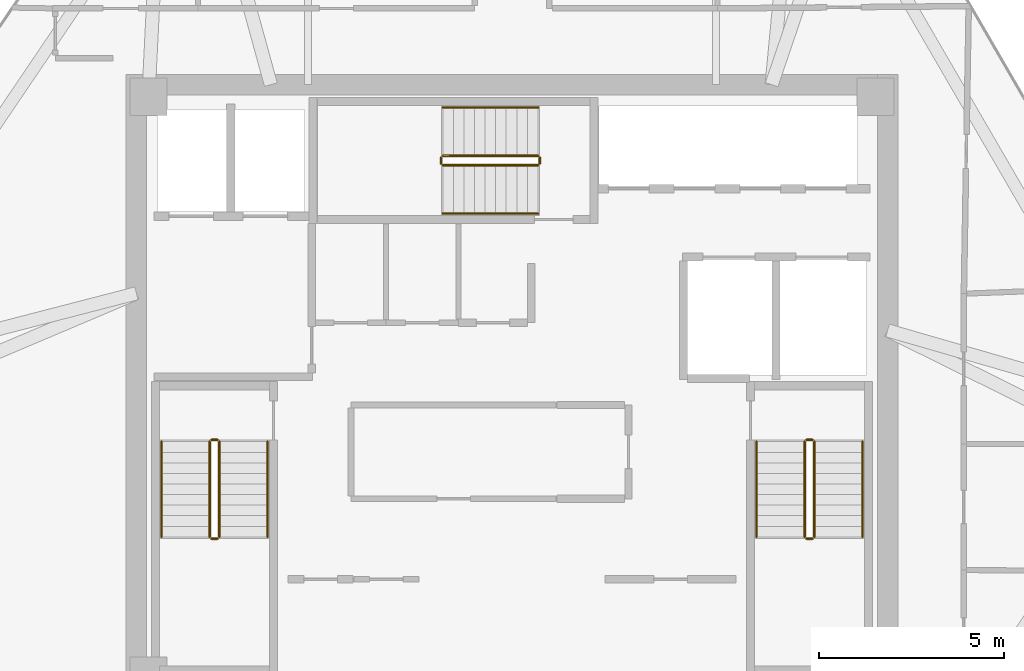
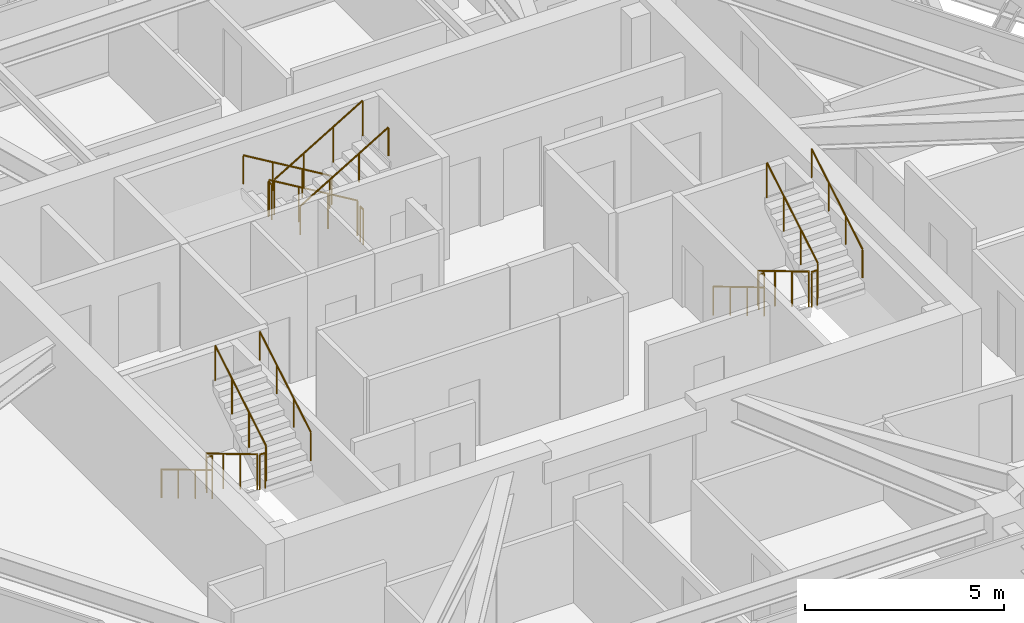
# One storey, part 11 of 11: 18 railings.
"""IFC4 building model written with IfcOpenShell, lengths in metres."""

from ifc_helpers import new_model, si_unit, direction, frame, origin, origin_2d, place, context, subcontext, project, spatial, circle, extrude, material, type_object, element, save


model = new_model("IFC4")

# Units and contexts
model_context = context("Model", 3, precision=1e-05, world=origin(), true_north=direction((0.0, 1.0)))
body_context = subcontext(model_context, "Body", "Model", "MODEL_VIEW")
ifc_project = project(units=[si_unit("LENGTHUNIT", "METRE"), si_unit("AREAUNIT", "SQUARE_METRE"), si_unit("VOLUMEUNIT", "CUBIC_METRE"), si_unit("PLANEANGLEUNIT", "RADIAN"), si_unit("MASSUNIT", "GRAM", prefix="KILO")], contexts=[model_context])

# Site, building, storey
site_placement = place(None, origin())
site = spatial("IfcSite", under=ifc_project, at=site_placement, CompositionType="ELEMENT")
building_placement = place(site_placement, origin())
building = spatial("IfcBuilding", under=site, at=building_placement, Name="Durnholm Broadcast Tower", CompositionType="ELEMENT")
storey_placement = place(building_placement, frame((0.0, 0.0, 258.10009765625)))
storey = spatial("IfcBuildingStorey", under=building, at=storey_placement, Name="L72", CompositionType="ELEMENT", Elevation=258.10009765625)

# Railings
ifc_material_1 = material(Name="Painted Tubular Steel Stair Guardrail", Category="steel")
railing_type_1 = type_object("IfcRailingType", Name="RAIL-ST-GRD", PredefinedType="GUARDRAIL", material=ifc_material_1)
railing_1_placement = place(storey_placement, frame((-8.14990234375, -1.5, 0.169921875)))
element("IfcRailing", 1, at=railing_1_placement, inside=storey, type_object=railing_type_1, Name="L72 ST-1 stair guard 1", PredefinedType="GUARDRAIL", context=body_context, shape_type="SweptSolid", body=[
    extrude(circle(Radius=0.02392578125, at=origin_2d()), frame((0.0, 0.0, 1.076171875), z_axis=(0.0, -0.858810040619, 0.512294167576), x_axis=(1.0, 0.0, 0.0)), (0.0, 0.0, 1.0), 2.986572265625),
    extrude(circle(Radius=0.02099609375, at=origin_2d()), origin(), (0.0, 0.0, 1.0), 1.052001953125),
    extrude(circle(Radius=0.02099609375, at=origin_2d()), frame((0.0, -0.85498046875, 0.510009765625)), (0.0, 0.0, 1.0), 1.052001953125),
    extrude(circle(Radius=0.02099609375, at=origin_2d()), frame((0.0, -1.7099609375, 1.02001953125)), (0.0, 0.0, 1.0), 1.052001953125),
    extrude(circle(Radius=0.02099609375, at=origin_2d()), frame((0.0, -2.56494140625, 1.530029296875)), (0.0, 0.0, 1.0), 1.052001953125),
])
railing_2_placement = place(storey_placement, frame((-8.10009765625, -4.114990234375, 1.699951171875)))
element("IfcRailing", 2, at=railing_2_placement, inside=storey, type_object=railing_type_1, Name="L72 ST-1 stair guard 2", PredefinedType="GUARDRAIL", context=body_context, shape_type="SweptSolid", body=[
    extrude(circle(Radius=0.02392578125, at=origin_2d()), frame((0.0, 0.0, 1.076171875), z_axis=(1.0, 0.0, 0.0), x_axis=(0.0, 1.0, 0.0)), (0.0, 0.0, 1.0), 0.16015625),
    extrude(circle(Radius=0.02099609375, at=origin_2d()), origin(), (0.0, 0.0, 1.0), 1.052001953125),
    extrude(circle(Radius=0.02099609375, at=origin_2d()), frame((0.16015625, 0.0, 0.0)), (0.0, 0.0, 1.0), 1.052001953125),
])
railing_3_placement = place(storey_placement, frame((-7.889892578125, -4.06494140625, 1.869873046875)))
element("IfcRailing", 3, at=railing_3_placement, inside=storey, type_object=railing_type_1, Name="L72 ST-1 stair guard 3", PredefinedType="GUARDRAIL", context=body_context, shape_type="SweptSolid", body=[
    extrude(circle(Radius=0.02392578125, at=origin_2d()), frame((0.0, 0.0, 1.076171875), z_axis=(0.0, 0.858810040619, 0.512294167576), x_axis=(-1.0, 0.0, 0.0)), (0.0, 0.0, 1.0), 2.986572265625),
    extrude(circle(Radius=0.02099609375, at=origin_2d()), origin(), (0.0, 0.0, 1.0), 1.052001953125),
    extrude(circle(Radius=0.02099609375, at=origin_2d()), frame((0.0, 0.85498046875, 0.510009765625)), (0.0, 0.0, 1.0), 1.052001953125),
    extrude(circle(Radius=0.02099609375, at=origin_2d()), frame((0.0, 1.7099609375, 1.02001953125)), (0.0, 0.0, 1.0), 1.052001953125),
    extrude(circle(Radius=0.02099609375, at=origin_2d()), frame((0.0, 2.56494140625, 1.530029296875)), (0.0, 0.0, 1.0), 1.052001953125),
])
railing_4_placement = place(storey_placement, frame((-8.10009765625, -1.449951171875, 0.0)))
element("IfcRailing", 4, at=railing_4_placement, inside=storey, type_object=railing_type_1, Name="L72 ST-1 stair guard 4", PredefinedType="GUARDRAIL", context=body_context, shape_type="SweptSolid", body=[
    extrude(circle(Radius=0.02392578125, at=origin_2d()), frame((0.0, 0.0, 1.076171875), z_axis=(1.0, 0.0, 0.0), x_axis=(0.0, 1.0, 0.0)), (0.0, 0.0, 1.0), 0.16015625),
    extrude(circle(Radius=0.02099609375, at=origin_2d()), origin(), (0.0, 0.0, 1.0), 1.052001953125),
    extrude(circle(Radius=0.02099609375, at=origin_2d()), frame((0.16015625, 0.0, 0.0)), (0.0, 0.0, 1.0), 1.052001953125),
])
railing_5_placement = place(storey_placement, frame((7.889892578125, -1.5, 0.169921875)))
element("IfcRailing", 5, at=railing_5_placement, inside=storey, type_object=railing_type_1, Name="L72 ST-2 stair guard 1", PredefinedType="GUARDRAIL", context=body_context, shape_type="SweptSolid", body=[
    extrude(circle(Radius=0.02392578125, at=origin_2d()), frame((0.0, 0.0, 1.076171875), z_axis=(0.0, -0.858810040619, 0.512294167576), x_axis=(1.0, 0.0, 0.0)), (0.0, 0.0, 1.0), 2.986572265625),
    extrude(circle(Radius=0.02099609375, at=origin_2d()), origin(), (0.0, 0.0, 1.0), 1.052001953125),
    extrude(circle(Radius=0.02099609375, at=origin_2d()), frame((0.0, -0.85498046875, 0.510009765625)), (0.0, 0.0, 1.0), 1.052001953125),
    extrude(circle(Radius=0.02099609375, at=origin_2d()), frame((0.0, -1.7099609375, 1.02001953125)), (0.0, 0.0, 1.0), 1.052001953125),
    extrude(circle(Radius=0.02099609375, at=origin_2d()), frame((0.0, -2.56494140625, 1.530029296875)), (0.0, 0.0, 1.0), 1.052001953125),
])
railing_6_placement = place(storey_placement, frame((7.93994140625, -4.114990234375, 1.699951171875)))
element("IfcRailing", 6, at=railing_6_placement, inside=storey, type_object=railing_type_1, Name="L72 ST-2 stair guard 2", PredefinedType="GUARDRAIL", context=body_context, shape_type="SweptSolid", body=[
    extrude(circle(Radius=0.02392578125, at=origin_2d()), frame((0.0, 0.0, 1.076171875), z_axis=(1.0, 0.0, 0.0), x_axis=(0.0, 1.0, 0.0)), (0.0, 0.0, 1.0), 0.16015625),
    extrude(circle(Radius=0.02099609375, at=origin_2d()), origin(), (0.0, 0.0, 1.0), 1.052001953125),
    extrude(circle(Radius=0.02099609375, at=origin_2d()), frame((0.16015625, 0.0, 0.0)), (0.0, 0.0, 1.0), 1.052001953125),
])
railing_7_placement = place(storey_placement, frame((8.14990234375, -4.06494140625, 1.869873046875)))
element("IfcRailing", 7, at=railing_7_placement, inside=storey, type_object=railing_type_1, Name="L72 ST-2 stair guard 3", PredefinedType="GUARDRAIL", context=body_context, shape_type="SweptSolid", body=[
    extrude(circle(Radius=0.02392578125, at=origin_2d()), frame((0.0, 0.0, 1.076171875), z_axis=(0.0, 0.858810040619, 0.512294167576), x_axis=(-1.0, 0.0, 0.0)), (0.0, 0.0, 1.0), 2.986572265625),
    extrude(circle(Radius=0.02099609375, at=origin_2d()), origin(), (0.0, 0.0, 1.0), 1.052001953125),
    extrude(circle(Radius=0.02099609375, at=origin_2d()), frame((0.0, 0.85498046875, 0.510009765625)), (0.0, 0.0, 1.0), 1.052001953125),
    extrude(circle(Radius=0.02099609375, at=origin_2d()), frame((0.0, 1.7099609375, 1.02001953125)), (0.0, 0.0, 1.0), 1.052001953125),
    extrude(circle(Radius=0.02099609375, at=origin_2d()), frame((0.0, 2.56494140625, 1.530029296875)), (0.0, 0.0, 1.0), 1.052001953125),
])
railing_8_placement = place(storey_placement, frame((7.93994140625, -1.449951171875, 0.0)))
element("IfcRailing", 8, at=railing_8_placement, inside=storey, type_object=railing_type_1, Name="L72 ST-2 stair guard 4", PredefinedType="GUARDRAIL", context=body_context, shape_type="SweptSolid", body=[
    extrude(circle(Radius=0.02392578125, at=origin_2d()), frame((0.0, 0.0, 1.076171875), z_axis=(1.0, 0.0, 0.0), x_axis=(0.0, 1.0, 0.0)), (0.0, 0.0, 1.0), 0.16015625),
    extrude(circle(Radius=0.02099609375, at=origin_2d()), origin(), (0.0, 0.0, 1.0), 1.052001953125),
    extrude(circle(Radius=0.02099609375, at=origin_2d()), frame((0.16015625, 0.0, 0.0)), (0.0, 0.0, 1.0), 1.052001953125),
])
railing_9_placement = place(storey_placement, frame((0.699951171875, 6.2099609375, 0.169921875)))
element("IfcRailing", 9, at=railing_9_placement, inside=storey, type_object=railing_type_1, Name="L72 ST-3 stair guard 1", PredefinedType="GUARDRAIL", context=body_context, shape_type="SweptSolid", body=[
    extrude(circle(Radius=0.02392578125, at=origin_2d()), frame((0.0, 0.0, 1.076171875), z_axis=(-0.858810040619, 0.0, 0.512294167576), x_axis=(0.0, -1.0, 0.0)), (0.0, 0.0, 1.0), 2.986572265625),
    extrude(circle(Radius=0.02099609375, at=origin_2d()), origin(), (0.0, 0.0, 1.0), 1.052001953125),
    extrude(circle(Radius=0.02099609375, at=origin_2d()), frame((-0.85498046875, 0.0, 0.510009765625)), (0.0, 0.0, 1.0), 1.052001953125),
    extrude(circle(Radius=0.02099609375, at=origin_2d()), frame((-1.7099609375, 0.0, 1.02001953125)), (0.0, 0.0, 1.0), 1.052001953125),
    extrude(circle(Radius=0.02099609375, at=origin_2d()), frame((-2.56494140625, 0.0, 1.530029296875)), (0.0, 0.0, 1.0), 1.052001953125),
])
railing_10_placement = place(storey_placement, frame((-1.9150390625, 6.159912109375, 1.699951171875)))
element("IfcRailing", 10, at=railing_10_placement, inside=storey, type_object=railing_type_1, Name="L72 ST-3 stair guard 2", PredefinedType="GUARDRAIL", context=body_context, shape_type="SweptSolid", body=[
    extrude(circle(Radius=0.02392578125, at=origin_2d()), frame((0.0, 0.0, 1.076171875), z_axis=(0.0, -1.0, 0.0), x_axis=(1.0, 0.0, 0.0)), (0.0, 0.0, 1.0), 0.159912109375),
    extrude(circle(Radius=0.02099609375, at=origin_2d()), origin(), (0.0, 0.0, 1.0), 1.052001953125),
    extrude(circle(Radius=0.02099609375, at=origin_2d()), frame((0.0, -0.159912109375, 0.0)), (0.0, 0.0, 1.0), 1.052001953125),
])
railing_11_placement = place(storey_placement, frame((-1.864990234375, 5.949951171875, 1.869873046875)))
element("IfcRailing", 11, at=railing_11_placement, inside=storey, type_object=railing_type_1, Name="L72 ST-3 stair guard 3", PredefinedType="GUARDRAIL", context=body_context, shape_type="SweptSolid", body=[
    extrude(circle(Radius=0.02392578125, at=origin_2d()), frame((0.0, 0.0, 1.076171875), z_axis=(0.858810040619, 0.0, 0.512294167576), x_axis=(0.0, 1.0, 0.0)), (0.0, 0.0, 1.0), 2.986572265625),
    extrude(circle(Radius=0.02099609375, at=origin_2d()), origin(), (0.0, 0.0, 1.0), 1.052001953125),
    extrude(circle(Radius=0.02099609375, at=origin_2d()), frame((0.85498046875, 0.0, 0.510009765625)), (0.0, 0.0, 1.0), 1.052001953125),
    extrude(circle(Radius=0.02099609375, at=origin_2d()), frame((1.7099609375, 0.0, 1.02001953125)), (0.0, 0.0, 1.0), 1.052001953125),
    extrude(circle(Radius=0.02099609375, at=origin_2d()), frame((2.56494140625, 0.0, 1.530029296875)), (0.0, 0.0, 1.0), 1.052001953125),
])
railing_12_placement = place(storey_placement, frame((0.75, 6.159912109375, 0.0)))
element("IfcRailing", 12, at=railing_12_placement, inside=storey, type_object=railing_type_1, Name="L72 ST-3 stair guard 4", PredefinedType="GUARDRAIL", context=body_context, shape_type="SweptSolid", body=[
    extrude(circle(Radius=0.02392578125, at=origin_2d()), frame((0.0, 0.0, 1.076171875), z_axis=(0.0, -1.0, 0.0), x_axis=(1.0, 0.0, 0.0)), (0.0, 0.0, 1.0), 0.159912109375),
    extrude(circle(Radius=0.02099609375, at=origin_2d()), origin(), (0.0, 0.0, 1.0), 1.052001953125),
    extrude(circle(Radius=0.02099609375, at=origin_2d()), frame((0.0, -0.159912109375, 0.0)), (0.0, 0.0, 1.0), 1.052001953125),
])
ifc_material_2 = material(Name="Brushed Stainless Steel Handrail", Category="steel")
railing_type_2 = type_object("IfcRailingType", Name="RAIL-ST-HND", PredefinedType="HANDRAIL", material=ifc_material_2)
railing_13_placement = place(storey_placement, frame((-9.449951171875, -1.5, 0.33984375)))
element("IfcRailing", 13, at=railing_13_placement, inside=storey, type_object=railing_type_2, Name="L72 ST-1 stair handrail 1", PredefinedType="HANDRAIL", context=body_context, shape_type="SweptSolid", body=[
    extrude(circle(Radius=0.02392578125, at=origin_2d()), frame((0.0, 0.0, 0.8759765625), z_axis=(0.0, -0.858810040619, 0.512294167576), x_axis=(1.0, 0.0, 0.0)), (0.0, 0.0, 1.0), 2.986572265625),
    extrude(circle(Radius=0.02099609375, at=origin_2d()), origin(), (0.0, 0.0, 1.0), 0.851806640625),
    extrude(circle(Radius=0.02099609375, at=origin_2d()), frame((0.0, -0.85498046875, 0.510009765625)), (0.0, 0.0, 1.0), 0.851806640625),
    extrude(circle(Radius=0.02099609375, at=origin_2d()), frame((0.0, -1.7099609375, 1.02001953125)), (0.0, 0.0, 1.0), 0.851806640625),
    extrude(circle(Radius=0.02099609375, at=origin_2d()), frame((0.0, -2.56494140625, 1.530029296875)), (0.0, 0.0, 1.0), 0.851806640625),
])
railing_14_placement = place(storey_placement, frame((-6.590087890625, -4.06494140625, 2.039794921875)))
element("IfcRailing", 14, at=railing_14_placement, inside=storey, type_object=railing_type_2, Name="L72 ST-1 stair handrail 2", PredefinedType="HANDRAIL", context=body_context, shape_type="SweptSolid", body=[
    extrude(circle(Radius=0.02392578125, at=origin_2d()), frame((0.0, 0.0, 0.8759765625), z_axis=(0.0, 0.858810040619, 0.512294167576), x_axis=(-1.0, 0.0, 0.0)), (0.0, 0.0, 1.0), 2.986572265625),
    extrude(circle(Radius=0.02099609375, at=origin_2d()), origin(), (0.0, 0.0, 1.0), 0.851806640625),
    extrude(circle(Radius=0.02099609375, at=origin_2d()), frame((0.0, 0.85498046875, 0.510009765625)), (0.0, 0.0, 1.0), 0.851806640625),
    extrude(circle(Radius=0.02099609375, at=origin_2d()), frame((0.0, 1.7099609375, 1.02001953125)), (0.0, 0.0, 1.0), 0.851806640625),
    extrude(circle(Radius=0.02099609375, at=origin_2d()), frame((0.0, 2.56494140625, 1.530029296875)), (0.0, 0.0, 1.0), 0.851806640625),
])
railing_15_placement = place(storey_placement, frame((6.590087890625, -1.5, 0.33984375)))
element("IfcRailing", 15, at=railing_15_placement, inside=storey, type_object=railing_type_2, Name="L72 ST-2 stair handrail 1", PredefinedType="HANDRAIL", context=body_context, shape_type="SweptSolid", body=[
    extrude(circle(Radius=0.02392578125, at=origin_2d()), frame((0.0, 0.0, 0.8759765625), z_axis=(0.0, -0.858810040619, 0.512294167576), x_axis=(1.0, 0.0, 0.0)), (0.0, 0.0, 1.0), 2.986572265625),
    extrude(circle(Radius=0.02099609375, at=origin_2d()), origin(), (0.0, 0.0, 1.0), 0.851806640625),
    extrude(circle(Radius=0.02099609375, at=origin_2d()), frame((0.0, -0.85498046875, 0.510009765625)), (0.0, 0.0, 1.0), 0.851806640625),
    extrude(circle(Radius=0.02099609375, at=origin_2d()), frame((0.0, -1.7099609375, 1.02001953125)), (0.0, 0.0, 1.0), 0.851806640625),
    extrude(circle(Radius=0.02099609375, at=origin_2d()), frame((0.0, -2.56494140625, 1.530029296875)), (0.0, 0.0, 1.0), 0.851806640625),
])
railing_16_placement = place(storey_placement, frame((9.449951171875, -4.06494140625, 2.039794921875)))
element("IfcRailing", 16, at=railing_16_placement, inside=storey, type_object=railing_type_2, Name="L72 ST-2 stair handrail 2", PredefinedType="HANDRAIL", context=body_context, shape_type="SweptSolid", body=[
    extrude(circle(Radius=0.02392578125, at=origin_2d()), frame((0.0, 0.0, 0.8759765625), z_axis=(0.0, 0.858810040619, 0.512294167576), x_axis=(-1.0, 0.0, 0.0)), (0.0, 0.0, 1.0), 2.986572265625),
    extrude(circle(Radius=0.02099609375, at=origin_2d()), origin(), (0.0, 0.0, 1.0), 0.851806640625),
    extrude(circle(Radius=0.02099609375, at=origin_2d()), frame((0.0, 0.85498046875, 0.510009765625)), (0.0, 0.0, 1.0), 0.851806640625),
    extrude(circle(Radius=0.02099609375, at=origin_2d()), frame((0.0, 1.7099609375, 1.02001953125)), (0.0, 0.0, 1.0), 0.851806640625),
    extrude(circle(Radius=0.02099609375, at=origin_2d()), frame((0.0, 2.56494140625, 1.530029296875)), (0.0, 0.0, 1.0), 0.851806640625),
])
railing_17_placement = place(storey_placement, frame((0.699951171875, 7.510009765625, 0.33984375)))
element("IfcRailing", 17, at=railing_17_placement, inside=storey, type_object=railing_type_2, Name="L72 ST-3 stair handrail 1", PredefinedType="HANDRAIL", context=body_context, shape_type="SweptSolid", body=[
    extrude(circle(Radius=0.02392578125, at=origin_2d()), frame((0.0, 0.0, 0.8759765625), z_axis=(-0.858810040619, 0.0, 0.512294167576), x_axis=(0.0, -1.0, 0.0)), (0.0, 0.0, 1.0), 2.986572265625),
    extrude(circle(Radius=0.02099609375, at=origin_2d()), origin(), (0.0, 0.0, 1.0), 0.851806640625),
    extrude(circle(Radius=0.02099609375, at=origin_2d()), frame((-0.85498046875, 0.0, 0.510009765625)), (0.0, 0.0, 1.0), 0.851806640625),
    extrude(circle(Radius=0.02099609375, at=origin_2d()), frame((-1.7099609375, 0.0, 1.02001953125)), (0.0, 0.0, 1.0), 0.851806640625),
    extrude(circle(Radius=0.02099609375, at=origin_2d()), frame((-2.56494140625, 0.0, 1.530029296875)), (0.0, 0.0, 1.0), 0.851806640625),
])
railing_18_placement = place(storey_placement, frame((-1.864990234375, 4.64990234375, 2.039794921875)))
element("IfcRailing", 18, at=railing_18_placement, inside=storey, type_object=railing_type_2, Name="L72 ST-3 stair handrail 2", PredefinedType="HANDRAIL", context=body_context, shape_type="SweptSolid", body=[
    extrude(circle(Radius=0.02392578125, at=origin_2d()), frame((0.0, 0.0, 0.8759765625), z_axis=(0.858810040619, 0.0, 0.512294167576), x_axis=(0.0, 1.0, 0.0)), (0.0, 0.0, 1.0), 2.986572265625),
    extrude(circle(Radius=0.02099609375, at=origin_2d()), origin(), (0.0, 0.0, 1.0), 0.851806640625),
    extrude(circle(Radius=0.02099609375, at=origin_2d()), frame((0.85498046875, 0.0, 0.510009765625)), (0.0, 0.0, 1.0), 0.851806640625),
    extrude(circle(Radius=0.02099609375, at=origin_2d()), frame((1.7099609375, 0.0, 1.02001953125)), (0.0, 0.0, 1.0), 0.851806640625),
    extrude(circle(Radius=0.02099609375, at=origin_2d()), frame((2.56494140625, 0.0, 1.530029296875)), (0.0, 0.0, 1.0), 0.851806640625),
])

save(model, "model.ifc")
